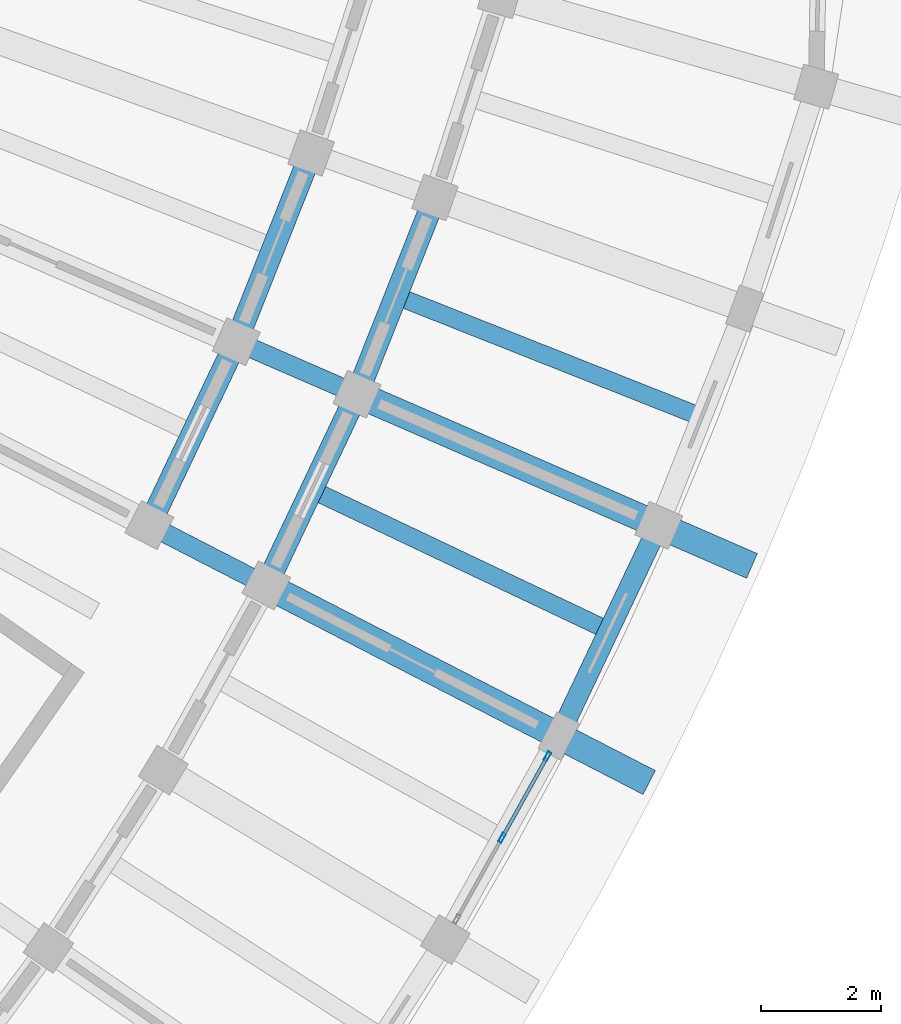
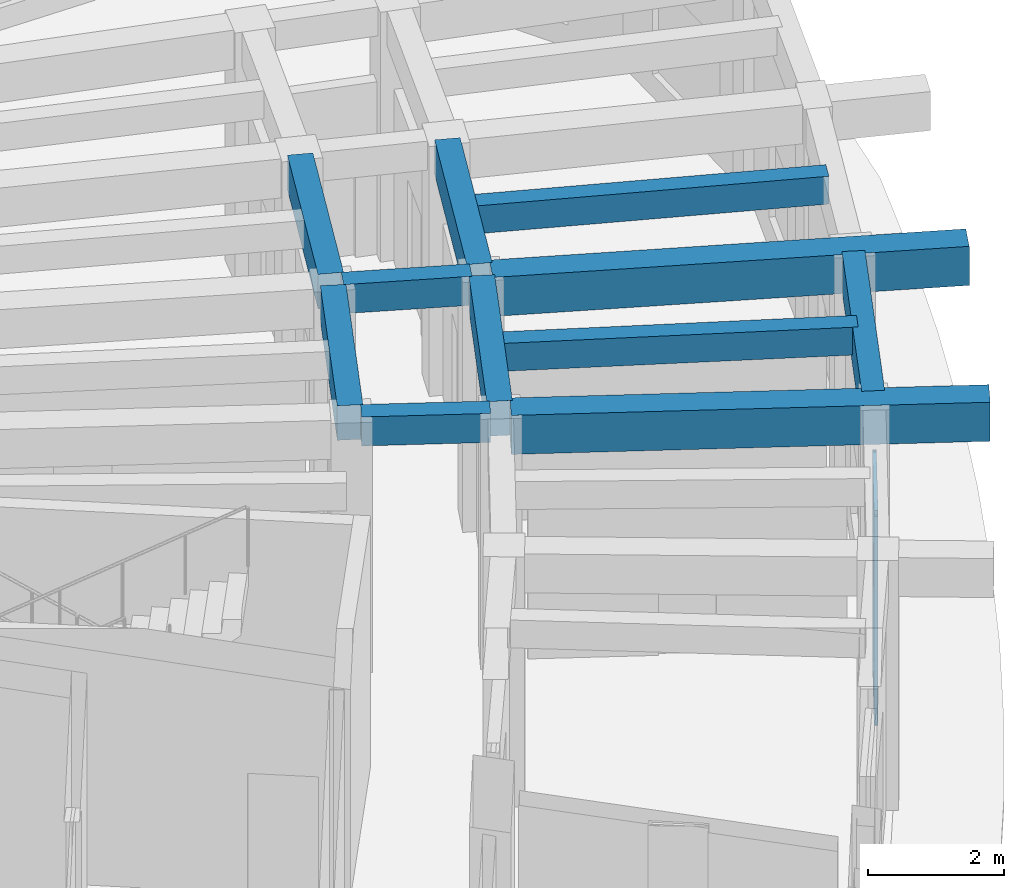
# One storey, part 61 of 132: 11 beams, 5 members, 1 element without a shape of its own.
"""IFC4 building model written with IfcOpenShell, lengths in metres."""

from ifc_helpers import new_model, si_unit, direction, frame, origin, origin_2d, place, context, subcontext, project, spatial, rectangle, hollow_rectangle, extrude, material, material_profile, profile_set, type_object, element, aggregate, save


model = new_model("IFC4")

# Units and contexts
model_context = context("Model", 3, precision=1e-05, world=origin(), true_north=direction((0.0, 1.0)))
body_context = subcontext(model_context, "Body", "Model", "MODEL_VIEW")
ifc_project = project(units=[si_unit("LENGTHUNIT", "METRE"), si_unit("AREAUNIT", "SQUARE_METRE"), si_unit("VOLUMEUNIT", "CUBIC_METRE"), si_unit("PLANEANGLEUNIT", "RADIAN"), si_unit("MASSUNIT", "GRAM", prefix="KILO")], contexts=[model_context])

# Site, building, storey
site_placement = place(None, origin())
site = spatial("IfcSite", under=ifc_project, at=site_placement, CompositionType="ELEMENT")
building_placement = place(site_placement, origin())
building = spatial("IfcBuilding", under=site, at=building_placement, Name="Tanwirah Colonnade Gardens", CompositionType="ELEMENT")
storey_placement = place(building_placement, origin())
storey = spatial("IfcBuildingStorey", under=building, at=storey_placement, Name="L00", CompositionType="ELEMENT", Elevation=0.0)

# Beams
ifc_material_1 = material(Name="Precast concrete C40/50", Category="concrete")
ifc_material_profile_1 = material_profile(ifc_material_1, rectangle(XDim=0.320068359375, YDim=0.52001953125, at=origin_2d()), Name="PC-BM 320x520")
ifc_profile_set_1 = profile_set([ifc_material_profile_1], Name="Precast concrete C40/50")
beam_type_1 = type_object("IfcBeamType", Name="BM-PC320", PredefinedType="BEAM", material=ifc_profile_set_1)
beam_1_placement = place(storey_placement, frame((167.22900390625, 40.690673828125, 4.22509765625), z_axis=(0.888965044602, -0.457975053334, 0.0), x_axis=(0.457975053334, 0.888965044602, 0.0)))
element("IfcBeam", 1, at=beam_1_placement, inside=storey, type_object=beam_type_1, Name="Block D L00 Corridor Tie Beam 13", PredefinedType="BEAM", context=body_context, shape_type="SweptSolid", body=[
    extrude(rectangle(XDim=0.320068359375, YDim=0.52001953125, at=origin_2d()), origin(), (0.0, 0.0, 1.0), 1.89990234375),
])
beam_2_placement = place(storey_placement, frame((168.68701171875, 43.76513671875, 4.22509765625), z_axis=(0.917025109963, -0.398829471952, 0.0), x_axis=(0.398829471952, 0.917025109963, 0.0)))
element("IfcBeam", 2, at=beam_2_placement, inside=storey, type_object=beam_type_1, Name="Block D L00 Corridor Tie Beam 14", PredefinedType="BEAM", context=body_context, shape_type="SweptSolid", body=[
    extrude(rectangle(XDim=0.320068359375, YDim=0.52001953125, at=origin_2d()), origin(), (0.0, 0.0, 1.0), 1.900146484375),
])
ifc_material_profile_2 = material_profile(ifc_material_1, rectangle(XDim=0.3798828125, YDim=0.6201171875, at=origin_2d()), Name="PC-BM 380x620")
ifc_profile_set_2 = profile_set([ifc_material_profile_2], Name="Precast concrete C40/50")
beam_type_2 = type_object("IfcBeamType", Name="BM-PC380", PredefinedType="BEAM", material=ifc_profile_set_2)
beam_3_placement = place(storey_placement, frame((167.159912109375, 40.894775390625, 4.175048828125), z_axis=(0.428520598641, 0.903532011907, 0.0), x_axis=(-0.903532011907, 0.428520598641, 0.0)))
element("IfcBeam", 3, at=beam_3_placement, inside=storey, type_object=beam_type_2, Name="Block D L00 Circumferential Beam 13-R1", PredefinedType="BEAM", context=body_context, shape_type="SweptSolid", body=[
    extrude(rectangle(XDim=0.3798828125, YDim=0.6201171875, at=origin_2d()), origin(), (0.0, 0.0, 1.0), 3.093017578125),
])
beam_4_placement = place(storey_placement, frame((169.11572265625, 39.887451171875, 4.175048828125), z_axis=(0.428562893949, 0.903511951183, 0.0), x_axis=(-0.903511951183, 0.428562893949, 0.0)))
element("IfcBeam", 4, at=beam_4_placement, inside=storey, type_object=beam_type_2, Name="Block D L00 Circumferential Beam 13-R2", PredefinedType="BEAM", context=body_context, shape_type="SweptSolid", body=[
    extrude(rectangle(XDim=0.3798828125, YDim=0.6201171875, at=origin_2d()), origin(), (0.0, 0.0, 1.0), 3.23681640625),
])
beam_5_placement = place(storey_placement, frame((168.604736328125, 43.96435546875, 4.175048828125), z_axis=(0.368544574427, 0.929610077753, 0.0), x_axis=(-0.929610077753, 0.368544574427, 0.0)))
element("IfcBeam", 5, at=beam_5_placement, inside=storey, type_object=beam_type_2, Name="Block D L00 Circumferential Beam 14-R1", PredefinedType="BEAM", context=body_context, shape_type="SweptSolid", body=[
    extrude(rectangle(XDim=0.3798828125, YDim=0.6201171875, at=origin_2d()), origin(), (0.0, 0.0, 1.0), 3.093017578125),
])
beam_6_placement = place(storey_placement, frame((170.622314453125, 43.087158203125, 4.175048828125), z_axis=(0.368527954052, 0.929616666741, 0.0), x_axis=(-0.929616666741, 0.368527954052, 0.0)))
element("IfcBeam", 6, at=beam_6_placement, inside=storey, type_object=beam_type_2, Name="Block D L00 Circumferential Beam 14-R2", PredefinedType="BEAM", context=body_context, shape_type="SweptSolid", body=[
    extrude(rectangle(XDim=0.3798828125, YDim=0.6201171875, at=origin_2d()), origin(), (0.0, 0.0, 1.0), 3.23681640625),
])
ifc_material_2 = material(Name="Precast concrete C45/55", Category="concrete")
ifc_material_profile_3 = material_profile(ifc_material_2, rectangle(XDim=0.449951171875, YDim=0.699951171875, at=origin_2d()), Name="PC-BM 450x700")
ifc_profile_set_3 = profile_set([ifc_material_profile_3], Name="Precast concrete C45/55")
beam_type_3 = type_object("IfcBeamType", Name="BM-PC450", PredefinedType="BEAM", material=ifc_profile_set_3)
for number, where, z_axis, x_axis, name in (
    (7, (169.184814453125, 39.683349609375, 4.135009765625), (0.889016420099, -0.457875315774, 0.0), (0.457875315774, 0.889016420099, 0.0), "Block D L00 Outer Radial Precast Girder 13"),
    (8, (170.70458984375, 42.8876953125, 4.135009765625), (0.91706895514, -0.398728643965, 0.0), (0.398728643965, 0.91706895514, 0.0), "Block D L00 Outer Radial Precast Girder 14"),
):
    element("IfcBeam", number, at=place(storey_placement, frame(where, z_axis=z_axis, x_axis=x_axis)), inside=storey, type_object=beam_type_3, Name=name, PredefinedType="BEAM", context=body_context, shape_type="SweptSolid", body=[
        extrude(rectangle(XDim=0.449951171875, YDim=0.699951171875, at=origin_2d()), origin(), (0.0, 0.0, 1.0), 7.050048828125),
    ])

# Curtain wall, members
ifc_material_3 = material(Name="Bronze-anodised aluminium and solar-control low-E glass", Category="aluminium")
curtain_wall_type = type_object("IfcCurtainWallType", Name="CW-LOB", PredefinedType="NOTDEFINED", material=ifc_material_3)
curtain_wall_placement = place(storey_placement, origin())
curtain_wall = element("IfcCurtainWall", 9, at=curtain_wall_placement, inside=storey, type_object=curtain_wall_type, Name="Curtain Wall CW-D-L00-OUT-12", PredefinedType="NOTDEFINED")
ifc_material_4 = material(Name="Bronze-anodised aluminium", Category="aluminium")
ifc_material_profile_4 = material_profile(ifc_material_4, hollow_rectangle(XDim=0.06005859375, YDim=0.159912109375, WallThickness=0.00390625, at=origin_2d()), Name="CW-MUL 60x160x4")
ifc_profile_set_4 = profile_set([ifc_material_profile_4], Name="Bronze-anodised aluminium")
member_type_1 = type_object("IfcMemberType", Name="CWM-60x160", PredefinedType="MULLION", material=ifc_profile_set_4)
member_1_placement = place(storey_placement, frame((172.99267578125, 35.531494140625, 0.0), z_axis=(0.0, 0.0, 1.0), x_axis=(-0.873560768318, 0.486715095364, 0.0)))
member_1 = element("IfcMember", 10, at=member_1_placement, type_object=member_type_1, Name="CW-LOB mullion 2", PredefinedType="MULLION", context=body_context, shape_type="SweptSolid", body=[
    extrude(hollow_rectangle(XDim=0.06005859375, YDim=0.159912109375, WallThickness=0.00390625, at=origin_2d()), origin(), (0.0, 0.0, 1.0), 3.7548828125),
])
member_2_placement = place(storey_placement, frame((173.751220703125, 36.892822265625, 0.0), z_axis=(0.0, 0.0, 1.0), x_axis=(-0.873560768318, 0.486715095364, 0.0)))
member_2 = element("IfcMember", 11, at=member_2_placement, type_object=member_type_1, Name="CW-LOB mullion 3", PredefinedType="MULLION", context=body_context, shape_type="SweptSolid", body=[
    extrude(hollow_rectangle(XDim=0.06005859375, YDim=0.159912109375, WallThickness=0.00390625, at=origin_2d()), origin(), (0.0, 0.0, 1.0), 3.7548828125),
])
ifc_material_profile_5 = material_profile(ifc_material_4, hollow_rectangle(XDim=0.06005859375, YDim=0.1201171875, WallThickness=0.00390625, at=origin_2d()), Name="CW-TRN 60x120x4")
ifc_profile_set_5 = profile_set([ifc_material_profile_5], Name="Bronze-anodised aluminium")
member_type_2 = type_object("IfcMemberType", Name="CWT-60x120", PredefinedType="USERDEFINED", material=ifc_profile_set_5)
member_3_placement = place(storey_placement, frame((173.00732421875, 35.557861328125, 0.030029296875), z_axis=(0.486721698498, 0.873557089269, 0.0), x_axis=(-0.873557089269, 0.486721698498, 0.0)))
member_3 = element("IfcMember", 12, at=member_3_placement, type_object=member_type_2, Name="CW-LOB transom 2.1", ObjectType="TRANSOM", PredefinedType="USERDEFINED", context=body_context, shape_type="SweptSolid", body=[
    extrude(hollow_rectangle(XDim=0.06005859375, YDim=0.1201171875, WallThickness=0.00390625, at=origin_2d()), origin(), (0.0, 0.0, 1.0), 1.498291015625),
])
member_4_placement = place(storey_placement, frame((173.00732421875, 35.557861328125, 2.328125), z_axis=(0.486721698498, 0.873557089269, 0.0), x_axis=(-0.873557089269, 0.486721698498, 0.0)))
member_4 = element("IfcMember", 13, at=member_4_placement, type_object=member_type_2, Name="CW-LOB transom 2.2", ObjectType="TRANSOM", PredefinedType="USERDEFINED", context=body_context, shape_type="SweptSolid", body=[
    extrude(hollow_rectangle(XDim=0.06005859375, YDim=0.1201171875, WallThickness=0.00390625, at=origin_2d()), origin(), (0.0, 0.0, 1.0), 1.498291015625),
])
member_5_placement = place(storey_placement, frame((173.00732421875, 35.557861328125, 3.72509765625), z_axis=(0.486721698498, 0.873557089269, 0.0), x_axis=(-0.873557089269, 0.486721698498, 0.0)))
member_5 = element("IfcMember", 14, at=member_5_placement, type_object=member_type_2, Name="CW-LOB transom 2.3", ObjectType="TRANSOM", PredefinedType="USERDEFINED", context=body_context, shape_type="SweptSolid", body=[
    extrude(hollow_rectangle(XDim=0.06005859375, YDim=0.1201171875, WallThickness=0.00390625, at=origin_2d()), origin(), (0.0, 0.0, 1.0), 1.498291015625),
])
aggregate(curtain_wall, [member_1, member_2, member_3, member_4, member_5])

# Beams
ifc_material_profile_6 = material_profile(ifc_material_1, rectangle(XDim=0.300048828125, YDim=0.5, at=origin_2d()), Name="PC-JST 300x500")
ifc_profile_set_6 = profile_set([ifc_material_profile_6], Name="Precast concrete C40/50")
beam_type_4 = type_object("IfcBeamType", Name="JST-PC300", PredefinedType="JOIST", material=ifc_profile_set_6)
for number, where, z_axis, x_axis, name in (
    (15, (169.94384765625, 41.285888671875, 4.235107421875), (0.903517509842, -0.428551174785, 0.0), (0.428551174785, 0.903517509842, 0.0), "Block D L00 Precast Floor Joist 13"),
    (16, (171.357177734375, 44.53662109375, 4.235107421875), (0.929618207145, -0.368524068338, 0.0), (0.368524068338, 0.929618207145, 0.0), "Block D L00 Precast Floor Joist 14"),
):
    element("IfcBeam", number, at=place(storey_placement, frame(where, z_axis=z_axis, x_axis=x_axis)), inside=storey, type_object=beam_type_4, Name=name, PredefinedType="JOIST", context=body_context, shape_type="SweptSolid", body=[
        extrude(rectangle(XDim=0.300048828125, YDim=0.5, at=origin_2d()), origin(), (0.0, 0.0, 1.0), 5.260009765625),
    ])
ifc_material_profile_7 = material_profile(ifc_material_2, rectangle(XDim=0.340087890625, YDim=0.699951171875, at=origin_2d()), Name="PC-SP 340x700")
ifc_profile_set_7 = profile_set([ifc_material_profile_7], Name="Precast concrete C45/55")
beam_type_5 = type_object("IfcBeamType", Name="SP-PC340", PredefinedType="SPANDREL", material=ifc_profile_set_7)
beam_7_placement = place(storey_placement, frame((174.00537109375, 37.369140625, 4.135009765625), z_axis=(0.428518139447, 0.903533178231, 0.0), x_axis=(-0.903533178231, 0.428518139447, 0.0)))
element("IfcBeam", 17, at=beam_7_placement, inside=storey, type_object=beam_type_5, Name="Block D L00 Circumferential Beam 13-R3", PredefinedType="SPANDREL", context=body_context, shape_type="SweptSolid", body=[
    extrude(rectangle(XDim=0.340087890625, YDim=0.699951171875, at=origin_2d()), origin(), (0.0, 0.0, 1.0), 3.5966796875),
])

save(model, "model.ifc")
